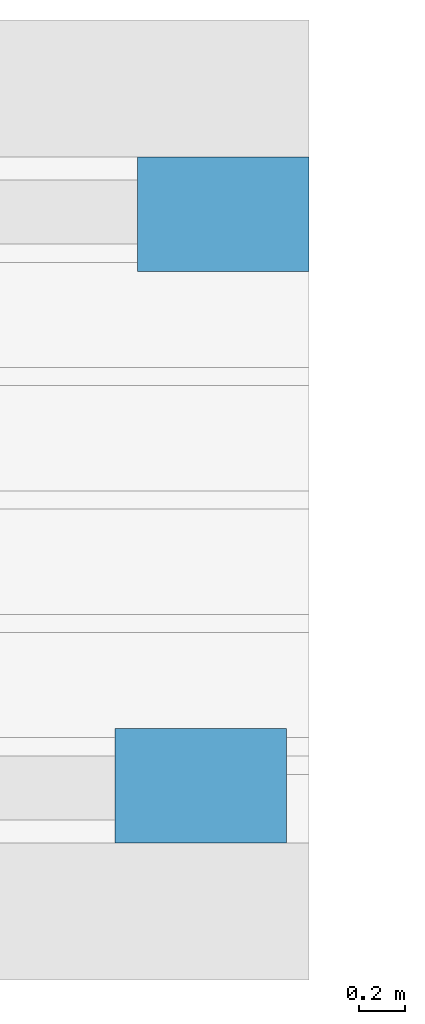
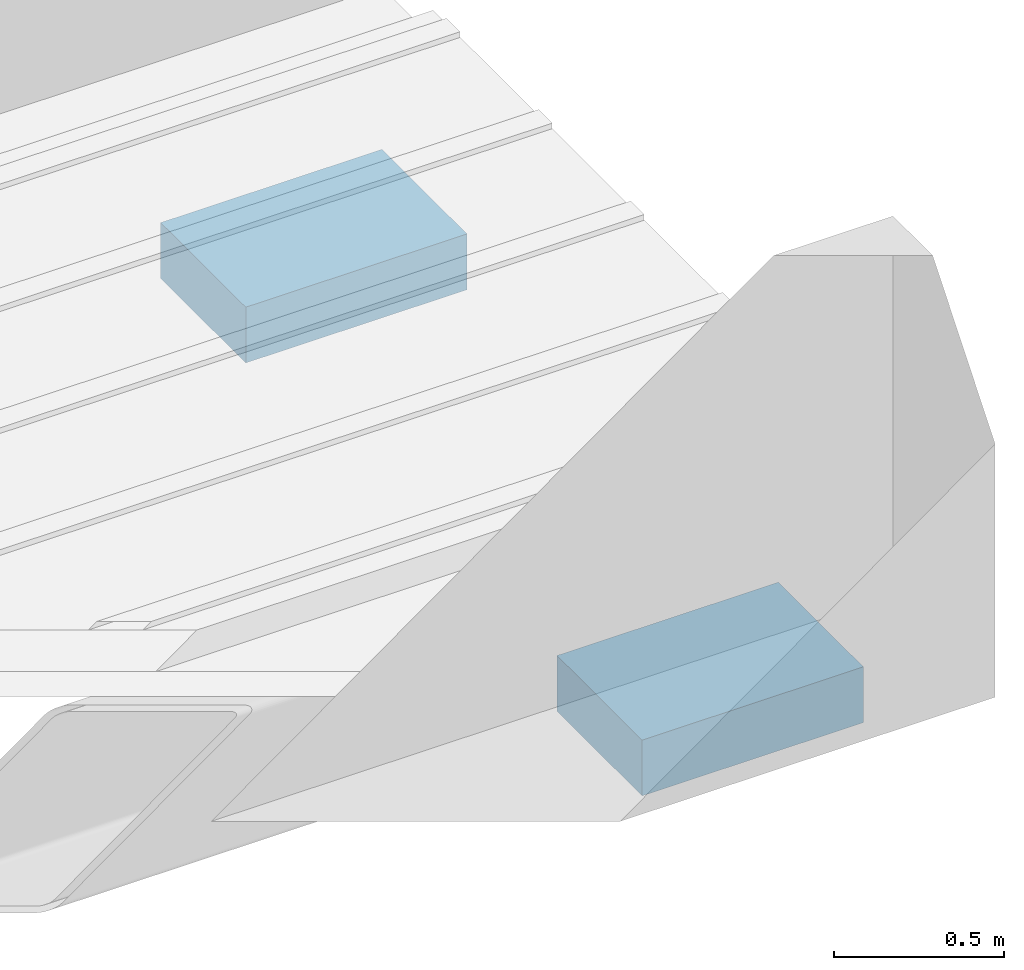
# One storey, part 38 of 50: 2 discrete accessories.
"""IFC4 building model written with IfcOpenShell, lengths in metres."""

from ifc_helpers import new_model, si_unit, direction, frame, origin, origin_2d, place, context, subcontext, project, spatial, rectangle, extrude, material, type_object, element, save


model = new_model("IFC4")

# Units and contexts
model_context = context("Model", 3, precision=1e-05, world=origin(), true_north=direction((0.0, 1.0)))
body_context = subcontext(model_context, "Body", "Model", "MODEL_VIEW")
ifc_project = project(units=[si_unit("LENGTHUNIT", "METRE"), si_unit("AREAUNIT", "SQUARE_METRE"), si_unit("VOLUMEUNIT", "CUBIC_METRE"), si_unit("PLANEANGLEUNIT", "RADIAN"), si_unit("MASSUNIT", "GRAM", prefix="KILO")], contexts=[model_context])

# Site, building, storey
site_placement = place(None, origin())
site = spatial("IfcSite", under=ifc_project, at=site_placement, CompositionType="ELEMENT")
building_placement = place(site_placement, origin())
building = spatial("IfcBuilding", under=site, at=building_placement, Name="Elbe Cascade School", CompositionType="ELEMENT")
storey_placement = place(building_placement, frame((0.0, 0.0, 15.300048828125)))
storey = spatial("IfcBuildingStorey", under=building, at=storey_placement, Name="L04", CompositionType="ELEMENT", Elevation=15.300048828125)

# Discrete accessories
ifc_material = material(Name="Steel S355J2, hot-dip galvanised", Category="steel")
discrete_accessory_type = type_object("IfcDiscreteAccessoryType", Name="Bridge bearing block 750x500x200", PredefinedType="BRACKET", material=ifc_material)
for number, where, z_axis, x_axis, name in (
    (1, (134.824951171875, 6.25, -0.66015625), (0.0, 0.0, 1.0), (1.0, 0.0, 0.0), "Bridge B-C bearing block 1 east"),
    (2, (134.925048828125, 8.75, -0.66015625), (0.0, 0.0, 1.0), (1.0, 0.0, 0.0), "Bridge B-C bearing block 2 east"),
):
    element("IfcDiscreteAccessory", number, at=place(storey_placement, frame(where, z_axis=z_axis, x_axis=x_axis)), inside=storey, type_object=discrete_accessory_type, Name=name, PredefinedType="BRACKET", context=body_context, shape_type="SweptSolid", body=[
        extrude(rectangle(XDim=0.75, YDim=0.5, at=origin_2d()), origin(), (0.0, 0.0, 1.0), 0.199951171875),
    ])

save(model, "model.ifc")
